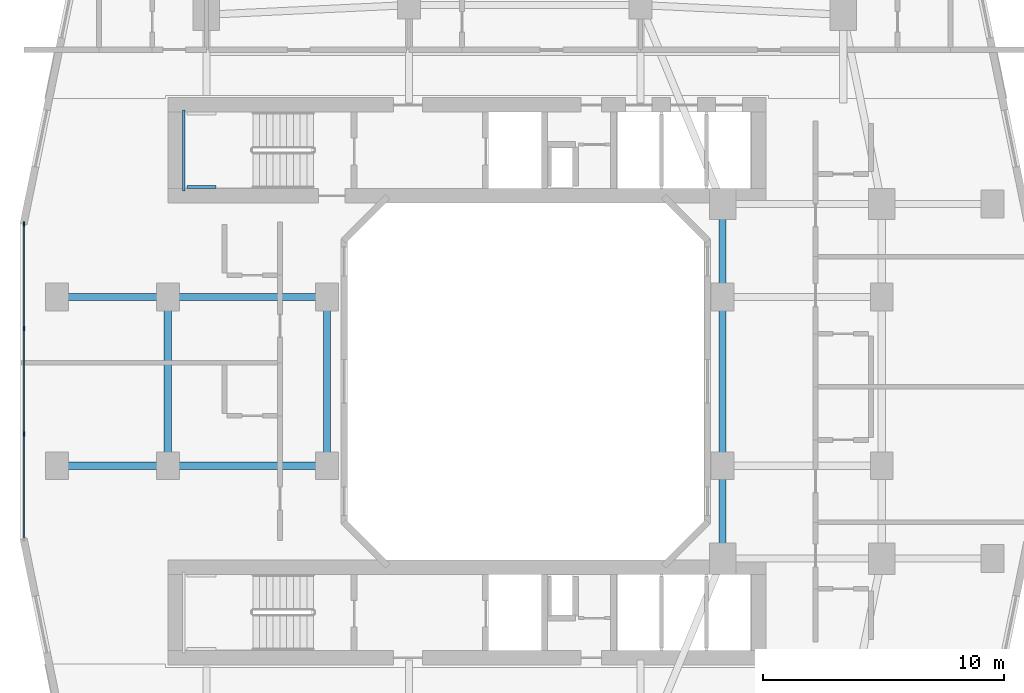
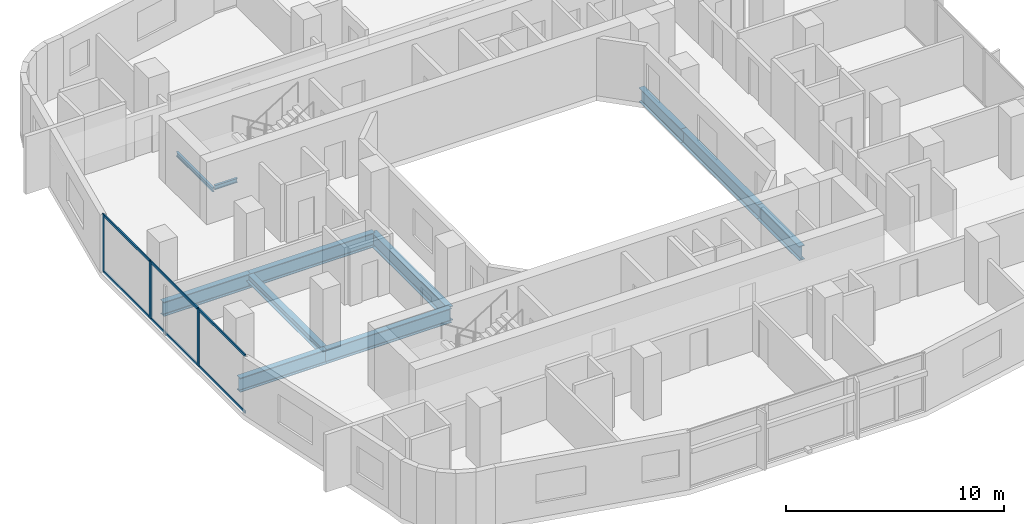
# One storey, part 3 of 27: 11 beams, 9 members, 1 element without a shape of its own.
"""IFC4 building model written with IfcOpenShell, lengths in metres."""

from ifc_helpers import new_model, si_unit, derived_unit, direction, frame, origin, origin_2d, place, context, subcontext, project, spatial, rectangle, i_section, extrude, material, layer, layer_set, material_profile, profile_set, type_object, element, aggregate, save


model = new_model("IFC4")

# Units and contexts
model_context = context("Model", 3, precision=1e-05, world=origin(), true_north=direction((0.0, 1.0)))
body_context = subcontext(model_context, "Body", "Model", "MODEL_VIEW")
ifc_project = project(units=[si_unit("LENGTHUNIT", "METRE"), si_unit("AREAUNIT", "SQUARE_METRE"), si_unit("VOLUMEUNIT", "CUBIC_METRE"), si_unit("PLANEANGLEUNIT", "RADIAN"), si_unit("MASSUNIT", "GRAM", prefix="KILO"), derived_unit("THERMALTRANSMITTANCEUNIT", [(si_unit("POWERUNIT", "WATT"), 1), (si_unit("LENGTHUNIT", "METRE"), -2), (si_unit("THERMODYNAMICTEMPERATUREUNIT", "KELVIN"), -1)])], contexts=[model_context])

# Site, building, storey
site_placement = place(None, origin())
site = spatial("IfcSite", under=ifc_project, at=site_placement, CompositionType="ELEMENT")
building_placement = place(site_placement, origin())
building = spatial("IfcBuilding", under=site, at=building_placement, Name="Kivonza Crest Hotel", CompositionType="ELEMENT")
storey_placement = place(building_placement, frame((0.0, 0.0, 38.0)))
storey = spatial("IfcBuildingStorey", under=building, at=storey_placement, Name="L09", CompositionType="ELEMENT", Elevation=38.0)

# Beams
ifc_material_1 = material(Name="Steel S355", Category="steel")
ifc_material_profile_1 = material_profile(ifc_material_1, i_section(OverallWidth=0.300048828125, OverallDepth=0.449951171875, WebThickness=0.013916015625, FlangeThickness=0.02587890625, FilletRadius=0.027099609375, at=origin_2d()), Name="HEB 450")
ifc_profile_set_1 = profile_set([ifc_material_profile_1], Name="Steel S355")
beam_type_1 = type_object("IfcBeamType", Name="BM-HEB450", PredefinedType="SPANDREL", material=ifc_profile_set_1)
beam_1_placement = place(storey_placement, frame((6.199951171875, 28.5, -0.5048828125), z_axis=(0.0, -1.0, 0.0), x_axis=(1.0, 0.0, 0.0)))
element("IfcBeam", 1, at=beam_1_placement, inside=storey, type_object=beam_type_1, Name="Tower T1 L09 perimeter spandrel W2-W1", PredefinedType="SPANDREL", context=body_context, shape_type="SweptSolid", body=[
    extrude(i_section(OverallWidth=0.300048828125, OverallDepth=0.449951171875, WebThickness=0.013916015625, FlangeThickness=0.02587890625, FilletRadius=0.027099609375, at=origin_2d()), origin(), (0.0, 0.0, 1.0), 7.0),
])
ifc_material_profile_2 = material_profile(ifc_material_1, i_section(OverallWidth=0.300048828125, OverallDepth=0.800048828125, WebThickness=0.017578125, FlangeThickness=0.032958984375, FilletRadius=0.030029296875, at=origin_2d()), Name="HEB 800")
ifc_profile_set_2 = profile_set([ifc_material_profile_2], Name="Steel S355")
beam_type_2 = type_object("IfcBeamType", Name="BM-HEB800", PredefinedType="BEAM", material=ifc_profile_set_2)
for number, where, z_axis, x_axis, name in (
    (2, (6.199951171875, 21.5, -0.679931640625), (1.0, 0.0, 0.0), (0.0, 1.0, 0.0), "Tower T1 L09 primary girder W1-WL1"),
    (3, (6.199951171875, 28.5, -0.679931640625), (1.0, 0.0, 0.0), (0.0, 1.0, 0.0), "Tower T1 L09 primary girder W2-WL2"),
):
    element("IfcBeam", number, at=place(storey_placement, frame(where, z_axis=z_axis, x_axis=x_axis)), inside=storey, type_object=beam_type_2, Name=name, PredefinedType="BEAM", context=body_context, shape_type="SweptSolid", body=[
        extrude(i_section(OverallWidth=0.300048828125, OverallDepth=0.800048828125, WebThickness=0.017578125, FlangeThickness=0.032958984375, FilletRadius=0.030029296875, at=origin_2d()), origin(), (0.0, 0.0, 1.0), 6.60009765625),
    ])
for number, where, z_axis, x_axis, name in (
    (4, (12.800048828125, 21.5, -0.679931640625), (0.0, 1.0, 0.0), (-1.0, 0.0, 0.0), "Tower T1 L09 primary girder WL1-WL2"),
    (5, (29.199951171875, 21.5, -0.679931640625), (0.0, 1.0, 0.0), (-1.0, 0.0, 0.0), "Tower T1 L09 primary girder WR1-WR2"),
):
    element("IfcBeam", number, at=place(storey_placement, frame(where, z_axis=z_axis, x_axis=x_axis)), inside=storey, type_object=beam_type_2, Name=name, PredefinedType="BEAM", context=body_context, shape_type="SweptSolid", body=[
        extrude(i_section(OverallWidth=0.300048828125, OverallDepth=0.800048828125, WebThickness=0.017578125, FlangeThickness=0.032958984375, FilletRadius=0.030029296875, at=origin_2d()), origin(), (0.0, 0.0, 1.0), 7.0),
    ])
for number, where, z_axis, x_axis, name in (
    (6, (29.199951171875, 17.64990234375, -0.679931640625), (0.0, 1.0, 0.0), (-1.0, 0.0, 0.0), "Tower T1 L09 primary girder TSE-WR1"),
    (7, (29.199951171875, 28.5, -0.679931640625), (0.0, 1.0, 0.0), (-1.0, 0.0, 0.0), "Tower T1 L09 primary girder WR2-TNE"),
):
    element("IfcBeam", number, at=place(storey_placement, frame(where, z_axis=z_axis, x_axis=x_axis)), inside=storey, type_object=beam_type_2, Name=name, PredefinedType="BEAM", context=body_context, shape_type="SweptSolid", body=[
        extrude(i_section(OverallWidth=0.300048828125, OverallDepth=0.800048828125, WebThickness=0.017578125, FlangeThickness=0.032958984375, FilletRadius=0.030029296875, at=origin_2d()), origin(), (0.0, 0.0, 1.0), 3.85009765625),
    ])
for number, where, z_axis, x_axis, name in (
    (8, (1.60009765625, 21.5, -0.679931640625), (1.0, 0.0, 0.0), (0.0, 1.0, 0.0), "Tower T1 L09 outer bay girder ZW1"),
    (9, (1.60009765625, 28.5, -0.679931640625), (1.0, 0.0, 0.0), (0.0, 1.0, 0.0), "Tower T1 L09 outer bay girder ZW2"),
):
    element("IfcBeam", number, at=place(storey_placement, frame(where, z_axis=z_axis, x_axis=x_axis)), inside=storey, type_object=beam_type_2, Name=name, PredefinedType="BEAM", context=body_context, shape_type="SweptSolid", body=[
        extrude(i_section(OverallWidth=0.300048828125, OverallDepth=0.800048828125, WebThickness=0.017578125, FlangeThickness=0.032958984375, FilletRadius=0.030029296875, at=origin_2d()), origin(), (0.0, 0.0, 1.0), 4.599853515625),
    ])
ifc_material_profile_3 = material_profile(ifc_material_1, i_section(OverallWidth=0.1201171875, OverallDepth=0.239990234375, WebThickness=0.006103515625, FlangeThickness=0.009765625, FilletRadius=0.014892578125, at=origin_2d()), Name="IPE 240")
ifc_profile_set_3 = profile_set([ifc_material_profile_3], Name="Steel S355")
beam_type_3 = type_object("IfcBeamType", Name="BM-LLDG-240", PredefinedType="BEAM", material=ifc_profile_set_3)
beam_2_placement = place(storey_placement, frame((6.860107421875, 32.89990234375, 1.429931640625), z_axis=(0.0, 1.0, 0.0), x_axis=(-1.0, 0.0, 0.0)))
element("IfcBeam", 10, at=beam_2_placement, inside=storey, type_object=beam_type_3, Name="Stair ST-T1-N L09 West landing corbel", PredefinedType="BEAM", context=body_context, shape_type="SweptSolid", body=[
    extrude(i_section(OverallWidth=0.1201171875, OverallDepth=0.239990234375, WebThickness=0.006103515625, FlangeThickness=0.009765625, FilletRadius=0.014892578125, at=origin_2d()), origin(), (0.0, 0.0, 1.0), 3.360107421875),
])
beam_3_placement = place(storey_placement, frame((6.989990234375, 33.06005859375, 1.429931640625), z_axis=(1.0, 0.0, 0.0), x_axis=(0.0, 1.0, 0.0)))
element("IfcBeam", 11, at=beam_3_placement, inside=storey, type_object=beam_type_3, Name="Stair ST-T1-N L09 South landing corbel", PredefinedType="BEAM", context=body_context, shape_type="SweptSolid", body=[
    extrude(i_section(OverallWidth=0.1201171875, OverallDepth=0.239990234375, WebThickness=0.006103515625, FlangeThickness=0.009765625, FilletRadius=0.014892578125, at=origin_2d()), origin(), (0.0, 0.0, 1.0), 1.2099609375),
])

# Curtain wall, members
ifc_material_2 = material(Name="Anodised bronze aluminium and low-E double glazing", Category="aluminium")
ifc_layer = layer(ifc_material_2, 0.179931640625)
ifc_layer_set = layer_set([ifc_layer], Name="Anodised bronze aluminium and low-E double glazing")
curtain_wall_type = type_object("IfcCurtainWallType", Name="CW-SYS-2", PredefinedType="NOTDEFINED", material=ifc_layer_set)
curtain_wall_placement = place(storey_placement, origin())
curtain_wall = element("IfcCurtainWall", 12, at=curtain_wall_placement, inside=storey, type_object=curtain_wall_type, Name="L09 unitised curtain wall CW-T1-L09-35", PredefinedType="NOTDEFINED")
ifc_material_3 = material(Name="Anodised bronze aluminium", Category="aluminium")
ifc_material_profile_4 = material_profile(ifc_material_3, rectangle(XDim=0.06494140625, YDim=0.179931640625, at=origin_2d()), Name="CW-M 65x180")
ifc_profile_set_4 = profile_set([ifc_material_profile_4], Name="Anodised bronze aluminium")
member_type_1 = type_object("IfcMemberType", Name="CW-MUL-65x180", PredefinedType="MULLION", material=ifc_profile_set_4)
member_1_placement = place(storey_placement, frame((0.239990234375, 31.527587890625, 0.0), z_axis=(0.0, 0.0, 1.0), x_axis=(1.0, 0.0, 0.0)))
member_1 = element("IfcMember", 13, at=member_1_placement, type_object=member_type_1, Name="CW-2 mullion 1", PredefinedType="MULLION", context=body_context, shape_type="SweptSolid", body=[
    extrude(rectangle(XDim=0.06494140625, YDim=0.179931640625, at=origin_2d()), origin(), (0.0, 0.0, 1.0), 3.219970703125),
])
member_2_placement = place(storey_placement, frame((0.239990234375, 27.186767578125, 0.0), z_axis=(0.0, 0.0, 1.0), x_axis=(1.0, 0.0, 0.0)))
member_2 = element("IfcMember", 14, at=member_2_placement, type_object=member_type_1, Name="CW-2 mullion 2", PredefinedType="MULLION", context=body_context, shape_type="SweptSolid", body=[
    extrude(rectangle(XDim=0.06494140625, YDim=0.179931640625, at=origin_2d()), origin(), (0.0, 0.0, 1.0), 3.219970703125),
])
member_3_placement = place(storey_placement, frame((0.239990234375, 22.813232421875, 0.0), z_axis=(0.0, 0.0, 1.0), x_axis=(1.0, 0.0, 0.0)))
member_3 = element("IfcMember", 15, at=member_3_placement, type_object=member_type_1, Name="CW-2 mullion 3", PredefinedType="MULLION", context=body_context, shape_type="SweptSolid", body=[
    extrude(rectangle(XDim=0.06494140625, YDim=0.179931640625, at=origin_2d()), origin(), (0.0, 0.0, 1.0), 3.219970703125),
])
ifc_material_profile_5 = material_profile(ifc_material_3, rectangle(XDim=0.06494140625, YDim=0.139892578125, at=origin_2d()), Name="CW-T 65x140")
ifc_profile_set_5 = profile_set([ifc_material_profile_5], Name="Anodised bronze aluminium")
member_type_2 = type_object("IfcMemberType", Name="CW-TRN-65x140", PredefinedType="USERDEFINED", material=ifc_profile_set_5)
member_4_placement = place(storey_placement, frame((0.239990234375, 31.4951171875, 0.032470703125), z_axis=(0.0, -1.0, 0.0), x_axis=(1.0, 0.0, 0.0)))
member_4 = element("IfcMember", 16, at=member_4_placement, type_object=member_type_2, Name="CW-2 transom 1.1", ObjectType="TRANSOM", PredefinedType="USERDEFINED", context=body_context, shape_type="SweptSolid", body=[
    extrude(rectangle(XDim=0.06494140625, YDim=0.139892578125, at=origin_2d()), origin(), (0.0, 0.0, 1.0), 4.27587890625),
])
member_5_placement = place(storey_placement, frame((0.239990234375, 31.4951171875, 3.1875), z_axis=(0.0, -1.0, 0.0), x_axis=(1.0, 0.0, 0.0)))
member_5 = element("IfcMember", 17, at=member_5_placement, type_object=member_type_2, Name="CW-2 transom 1.2", ObjectType="TRANSOM", PredefinedType="USERDEFINED", context=body_context, shape_type="SweptSolid", body=[
    extrude(rectangle(XDim=0.06494140625, YDim=0.139892578125, at=origin_2d()), origin(), (0.0, 0.0, 1.0), 4.27587890625),
])
member_6_placement = place(storey_placement, frame((0.239990234375, 27.154052734375, 0.032470703125), z_axis=(0.0, -1.0, 0.0), x_axis=(1.0, 0.0, 0.0)))
member_6 = element("IfcMember", 18, at=member_6_placement, type_object=member_type_2, Name="CW-2 transom 2.1", ObjectType="TRANSOM", PredefinedType="USERDEFINED", context=body_context, shape_type="SweptSolid", body=[
    extrude(rectangle(XDim=0.06494140625, YDim=0.139892578125, at=origin_2d()), origin(), (0.0, 0.0, 1.0), 4.30810546875),
])
member_7_placement = place(storey_placement, frame((0.239990234375, 27.154052734375, 3.1875), z_axis=(0.0, -1.0, 0.0), x_axis=(1.0, 0.0, 0.0)))
member_7 = element("IfcMember", 19, at=member_7_placement, type_object=member_type_2, Name="CW-2 transom 2.2", ObjectType="TRANSOM", PredefinedType="USERDEFINED", context=body_context, shape_type="SweptSolid", body=[
    extrude(rectangle(XDim=0.06494140625, YDim=0.139892578125, at=origin_2d()), origin(), (0.0, 0.0, 1.0), 4.30810546875),
])
member_8_placement = place(storey_placement, frame((0.239990234375, 22.78076171875, 0.032470703125), z_axis=(0.0, -1.0, 0.0), x_axis=(1.0, 0.0, 0.0)))
member_8 = element("IfcMember", 20, at=member_8_placement, type_object=member_type_2, Name="CW-2 transom 3.1", ObjectType="TRANSOM", PredefinedType="USERDEFINED", context=body_context, shape_type="SweptSolid", body=[
    extrude(rectangle(XDim=0.06494140625, YDim=0.139892578125, at=origin_2d()), origin(), (0.0, 0.0, 1.0), 4.27587890625),
])
member_9_placement = place(storey_placement, frame((0.239990234375, 22.78076171875, 3.1875), z_axis=(0.0, -1.0, 0.0), x_axis=(1.0, 0.0, 0.0)))
member_9 = element("IfcMember", 21, at=member_9_placement, type_object=member_type_2, Name="CW-2 transom 3.2", ObjectType="TRANSOM", PredefinedType="USERDEFINED", context=body_context, shape_type="SweptSolid", body=[
    extrude(rectangle(XDim=0.06494140625, YDim=0.139892578125, at=origin_2d()), origin(), (0.0, 0.0, 1.0), 4.27587890625),
])
aggregate(curtain_wall, [member_1, member_2, member_3, member_4, member_5, member_6, member_7, member_8, member_9])

save(model, "model.ifc")
